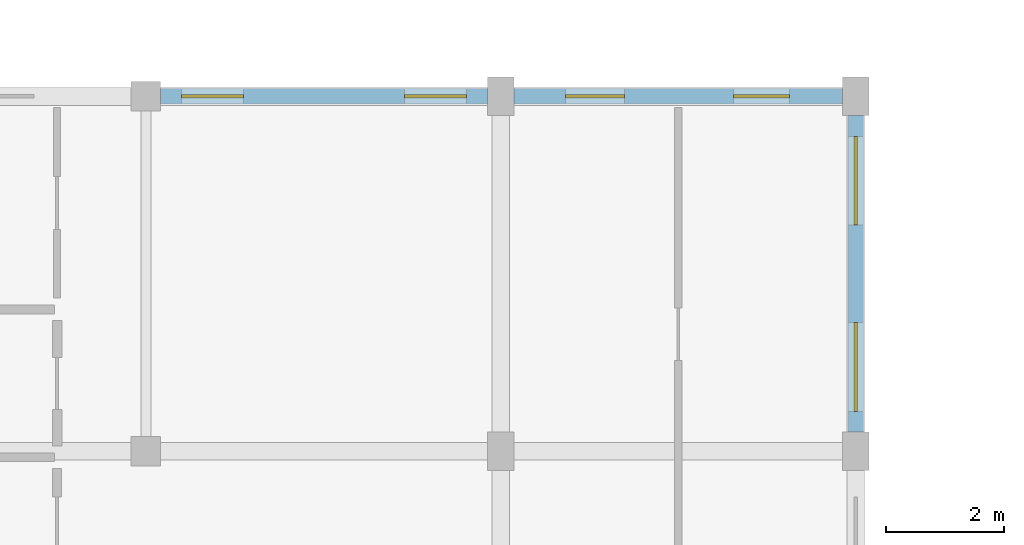
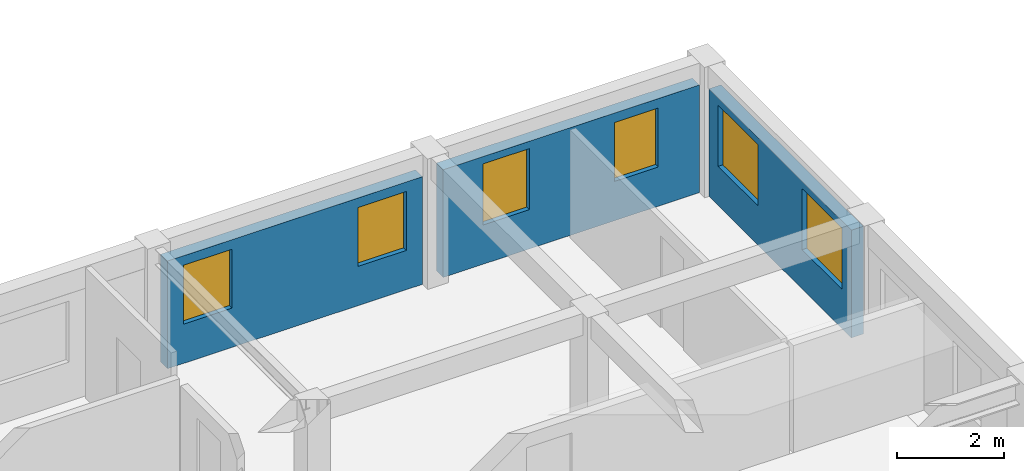
# One storey, part 7 of 17: 6 windows, 3 walls, 6 openings.
"""IFC4 building model written with IfcOpenShell, lengths in metres."""

from ifc_helpers import new_model, si_unit, direction, frame, frame_2d, origin, place, context, subcontext, project, spatial, rectangle, extrude, material, layer, layer_set, type_object, element, fill, save


model = new_model("IFC4")

# Units and contexts
model_context = context("Model", 3, precision=1e-05, world=origin(), true_north=direction((0.0, 1.0)))
body_context = subcontext(model_context, "Body", "Model", "MODEL_VIEW")
ifc_project = project(units=[si_unit("LENGTHUNIT", "METRE"), si_unit("AREAUNIT", "SQUARE_METRE"), si_unit("VOLUMEUNIT", "CUBIC_METRE"), si_unit("PLANEANGLEUNIT", "RADIAN"), si_unit("MASSUNIT", "GRAM", prefix="KILO"), si_unit("POWERUNIT", "WATT"), si_unit("THERMODYNAMICTEMPERATUREUNIT", "KELVIN")], contexts=[model_context])

# Site, building, storey
site_placement = place(None, origin())
site = spatial("IfcSite", under=ifc_project, at=site_placement, CompositionType="ELEMENT")
building_placement = place(site_placement, origin())
building = spatial("IfcBuilding", under=site, at=building_placement, Name="Ruvembo Vaulted Housing Court", CompositionType="ELEMENT")
storey_placement = place(building_placement, frame((0.0, 0.0, 30.10009765625)))
storey = spatial("IfcBuildingStorey", under=building, at=storey_placement, Name="L09", CompositionType="ELEMENT", Elevation=30.10009765625)

# Wall, openings, windows
ifc_material_1 = material(Name="Rendered Masonry 260", Category="masonry")
ifc_layer = layer(ifc_material_1, 0.260009765625, Name="Rendered Masonry 260")
ifc_layer_set = layer_set([ifc_layer], Name="Rendered Masonry 260")
wall_type = type_object("IfcWallType", Name="WL-EXT-260", PredefinedType="STANDARD", material=ifc_layer_set)
wall_1_placement = place(storey_placement, frame((36.0, 30.324951171875, 0.0), z_axis=(0.0, 0.0, 1.0), x_axis=(0.0, 1.0, 0.0)))
wall_1 = element("IfcWall", 1, at=wall_1_placement, inside=storey, type_object=wall_type, Name="Block A L09 Exterior Wall EAST #5", PredefinedType="STANDARD", context=body_context, shape_type="SweptSolid", body=[
    extrude(rectangle(XDim=5.35009765625, YDim=0.260009765625, at=frame_2d((2.675048828125, 0.0))), origin(), (0.0, 0.0, 1.0), 2.466796875),
])
opening_1_placement = place(wall_1_placement, frame((0.35009765625, 0.0, 0.89990234375)))
opening_1 = element("IfcOpeningElement", 2, at=opening_1_placement, cuts=wall_1, Name="Opening W18", PredefinedType="OPENING", context=body_context, shape_type="SweptSolid", body=[
    extrude(rectangle(XDim=1.5, YDim=1.39990234375, at=frame_2d((0.75, 0.699951171875))), frame((0.0, 0.139892578125, 0.0), z_axis=(0.0, -1.0, 0.0), x_axis=(1.0, 0.0, 0.0)), (0.0, 0.0, 1.0), 0.280029296875),
])
opening_2_placement = place(wall_1_placement, frame((3.5, 0.0, 0.89990234375)))
opening_2 = element("IfcOpeningElement", 3, at=opening_2_placement, cuts=wall_1, Name="Opening W18", PredefinedType="OPENING", context=body_context, shape_type="SweptSolid", body=[
    extrude(rectangle(XDim=1.5, YDim=1.39990234375, at=frame_2d((0.75, 0.699951171875))), frame((0.0, 0.139892578125, 0.0), z_axis=(0.0, -1.0, 0.0), x_axis=(1.0, 0.0, 0.0)), (0.0, 0.0, 1.0), 0.280029296875),
])
ifc_material_2 = material(Name="Double Solar-Control Glazing in Aluminium Frame", Category="aluminium")
window_type_1 = type_object("IfcWindowType", Name="WIN-1500x1400", PartitioningType="SINGLE_PANEL", PredefinedType="WINDOW", material=ifc_material_2)
window_1_placement = place(opening_1_placement, origin())
window_1 = element("IfcWindow", 4, at=window_1_placement, inside=storey, type_object=window_type_1, Name="Block A L09 Window #407", OverallHeight=1.39990234375, OverallWidth=1.5, PartitioningType="SINGLE_PANEL", PredefinedType="WINDOW", context=body_context, shape_type="SweptSolid", body=[
    extrude(rectangle(XDim=1.5, YDim=1.39990234375, at=frame_2d((0.75, 0.699951171875))), frame((0.0, 0.030029296875, 0.0), z_axis=(0.0, -1.0, 0.0), x_axis=(1.0, 0.0, 0.0)), (0.0, 0.0, 1.0), 0.06005859375),
])
fill(opening_1, window_1)
window_2_placement = place(opening_2_placement, origin())
window_2 = element("IfcWindow", 5, at=window_2_placement, inside=storey, type_object=window_type_1, Name="Block A L09 Window #408", OverallHeight=1.39990234375, OverallWidth=1.5, PartitioningType="SINGLE_PANEL", PredefinedType="WINDOW", context=body_context, shape_type="SweptSolid", body=[
    extrude(rectangle(XDim=1.5, YDim=1.39990234375, at=frame_2d((0.75, 0.699951171875))), frame((0.0, 0.030029296875, 0.0), z_axis=(0.0, -1.0, 0.0), x_axis=(1.0, 0.0, 0.0)), (0.0, 0.0, 1.0), 0.06005859375),
])
fill(opening_2, window_2)

wall_2_placement = place(storey_placement, frame((35.77490234375, 36.0, 0.0), z_axis=(0.0, 0.0, 1.0), x_axis=(-1.0, 0.0, 0.0)))
wall_2 = element("IfcWall", 6, at=wall_2_placement, inside=storey, type_object=wall_type, Name="Block A L09 Exterior Wall COURTYARD #1", PredefinedType="STANDARD", context=body_context, shape_type="SweptSolid", body=[
    extrude(rectangle(XDim=5.5498046875, YDim=0.260009765625, at=frame_2d((2.77490234375, 0.0))), origin(), (0.0, 0.0, 1.0), 2.466796875),
])
opening_3_placement = place(wall_2_placement, frame((0.892578125, 0.0, 0.89990234375)))
opening_3 = element("IfcOpeningElement", 7, at=opening_3_placement, cuts=wall_2, Name="Opening W07", PredefinedType="OPENING", context=body_context, shape_type="SweptSolid", body=[
    extrude(rectangle(XDim=0.949951171875, YDim=1.35009765625, at=frame_2d((0.47509765625, 0.675048828125))), frame((0.0, 0.139892578125, 0.0), z_axis=(0.0, -1.0, 0.0), x_axis=(1.0, 0.0, 0.0)), (0.0, 0.0, 1.0), 0.280029296875),
])
opening_4_placement = place(wall_2_placement, frame((3.6826171875, 0.0, 0.89990234375)))
opening_4 = element("IfcOpeningElement", 8, at=opening_4_placement, cuts=wall_2, Name="Opening W08", PredefinedType="OPENING", context=body_context, shape_type="SweptSolid", body=[
    extrude(rectangle(XDim=1.0, YDim=1.39990234375, at=frame_2d((0.5, 0.699951171875))), frame((0.0, 0.139892578125, 0.0), z_axis=(0.0, -1.0, 0.0), x_axis=(1.0, 0.0, 0.0)), (0.0, 0.0, 1.0), 0.280029296875),
])
window_type_2 = type_object("IfcWindowType", Name="WIN-0950x1350", PartitioningType="SINGLE_PANEL", PredefinedType="WINDOW", material=ifc_material_2)
window_3_placement = place(opening_3_placement, origin())
window_3 = element("IfcWindow", 9, at=window_3_placement, inside=storey, type_object=window_type_2, Name="Block A L09 Window #409", OverallHeight=1.35009765625, OverallWidth=0.949951171875, PartitioningType="SINGLE_PANEL", PredefinedType="WINDOW", context=body_context, shape_type="SweptSolid", body=[
    extrude(rectangle(XDim=0.949951171875, YDim=1.35009765625, at=frame_2d((0.47509765625, 0.675048828125))), frame((0.0, 0.030029296875, 0.0), z_axis=(0.0, -1.0, 0.0), x_axis=(1.0, 0.0, 0.0)), (0.0, 0.0, 1.0), 0.06005859375),
])
fill(opening_3, window_3)
window_type_3 = type_object("IfcWindowType", Name="WIN-1000x1400", PartitioningType="SINGLE_PANEL", PredefinedType="WINDOW", material=ifc_material_2)
window_4_placement = place(opening_4_placement, origin())
window_4 = element("IfcWindow", 10, at=window_4_placement, inside=storey, type_object=window_type_3, Name="Block A L09 Window #410", OverallHeight=1.39990234375, OverallWidth=1.0, PartitioningType="SINGLE_PANEL", PredefinedType="WINDOW", context=body_context, shape_type="SweptSolid", body=[
    extrude(rectangle(XDim=1.0, YDim=1.39990234375, at=frame_2d((0.5, 0.699951171875))), frame((0.0, 0.030029296875, 0.0), z_axis=(0.0, -1.0, 0.0), x_axis=(1.0, 0.0, 0.0)), (0.0, 0.0, 1.0), 0.06005859375),
])
fill(opening_4, window_4)

wall_3_placement = place(storey_placement, frame((29.77490234375, 36.0, 0.0), z_axis=(0.0, 0.0, 1.0), x_axis=(-1.0, 0.0, 0.0)))
wall_3 = element("IfcWall", 11, at=wall_3_placement, inside=storey, type_object=wall_type, Name="Block A L09 Exterior Wall COURTYARD #2", PredefinedType="STANDARD", context=body_context, shape_type="SweptSolid", body=[
    extrude(rectangle(XDim=5.52490234375, YDim=0.260009765625, at=frame_2d((2.762451171875, 0.0))), origin(), (0.0, 0.0, 1.0), 2.466796875),
])
opening_5_placement = place(wall_3_placement, frame((0.35009765625, 0.0, 0.89990234375)))
opening_5 = element("IfcOpeningElement", 12, at=opening_5_placement, cuts=wall_3, Name="Opening W09", PredefinedType="OPENING", context=body_context, shape_type="SweptSolid", body=[
    extrude(rectangle(XDim=1.050048828125, YDim=1.35009765625, at=frame_2d((0.52490234375, 0.675048828125))), frame((0.0, 0.139892578125, 0.0), z_axis=(0.0, -1.0, 0.0), x_axis=(1.0, 0.0, 0.0)), (0.0, 0.0, 1.0), 0.280029296875),
])
opening_6_placement = place(wall_3_placement, frame((4.125, 0.0, 0.89990234375)))
opening_6 = element("IfcOpeningElement", 13, at=opening_6_placement, cuts=wall_3, Name="Opening W09", PredefinedType="OPENING", context=body_context, shape_type="SweptSolid", body=[
    extrude(rectangle(XDim=1.050048828125, YDim=1.35009765625, at=frame_2d((0.52490234375, 0.675048828125))), frame((0.0, 0.139892578125, 0.0), z_axis=(0.0, -1.0, 0.0), x_axis=(1.0, 0.0, 0.0)), (0.0, 0.0, 1.0), 0.280029296875),
])
window_type_4 = type_object("IfcWindowType", Name="WIN-1050x1350", PartitioningType="SINGLE_PANEL", PredefinedType="WINDOW", material=ifc_material_2)
window_5_placement = place(opening_5_placement, origin())
window_5 = element("IfcWindow", 14, at=window_5_placement, inside=storey, type_object=window_type_4, Name="Block A L09 Window #411", OverallHeight=1.35009765625, OverallWidth=1.050048828125, PartitioningType="SINGLE_PANEL", PredefinedType="WINDOW", context=body_context, shape_type="SweptSolid", body=[
    extrude(rectangle(XDim=1.050048828125, YDim=1.35009765625, at=frame_2d((0.52490234375, 0.675048828125))), frame((0.0, 0.030029296875, 0.0), z_axis=(0.0, -1.0, 0.0), x_axis=(1.0, 0.0, 0.0)), (0.0, 0.0, 1.0), 0.06005859375),
])
fill(opening_5, window_5)
window_6_placement = place(opening_6_placement, origin())
window_6 = element("IfcWindow", 15, at=window_6_placement, inside=storey, type_object=window_type_4, Name="Block A L09 Window #412", OverallHeight=1.35009765625, OverallWidth=1.050048828125, PartitioningType="SINGLE_PANEL", PredefinedType="WINDOW", context=body_context, shape_type="SweptSolid", body=[
    extrude(rectangle(XDim=1.050048828125, YDim=1.35009765625, at=frame_2d((0.52490234375, 0.675048828125))), frame((0.0, 0.030029296875, 0.0), z_axis=(0.0, -1.0, 0.0), x_axis=(1.0, 0.0, 0.0)), (0.0, 0.0, 1.0), 0.06005859375),
])
fill(opening_6, window_6)

save(model, "model.ifc")
